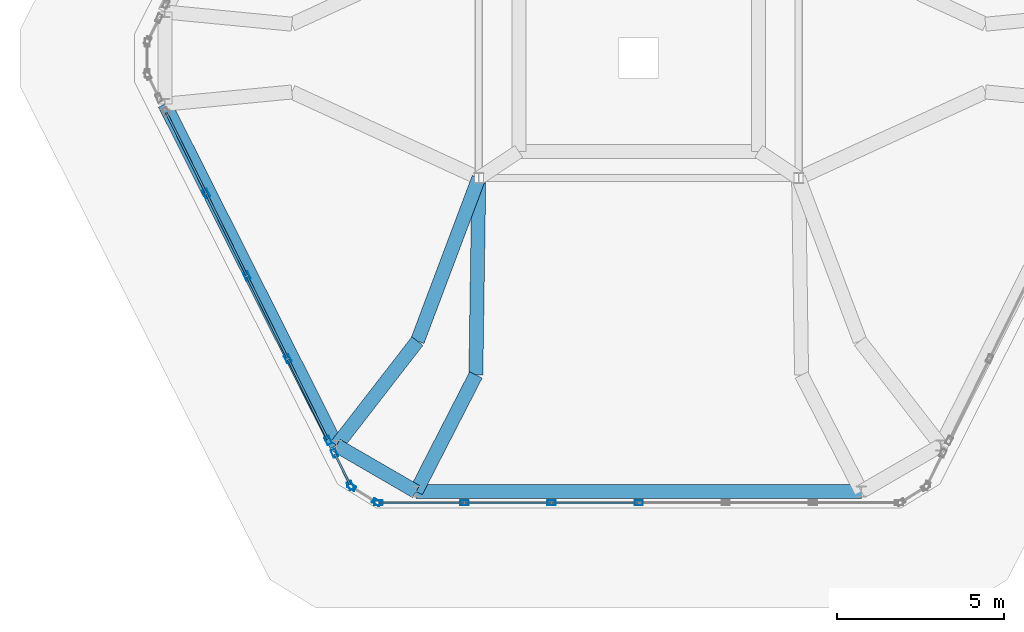
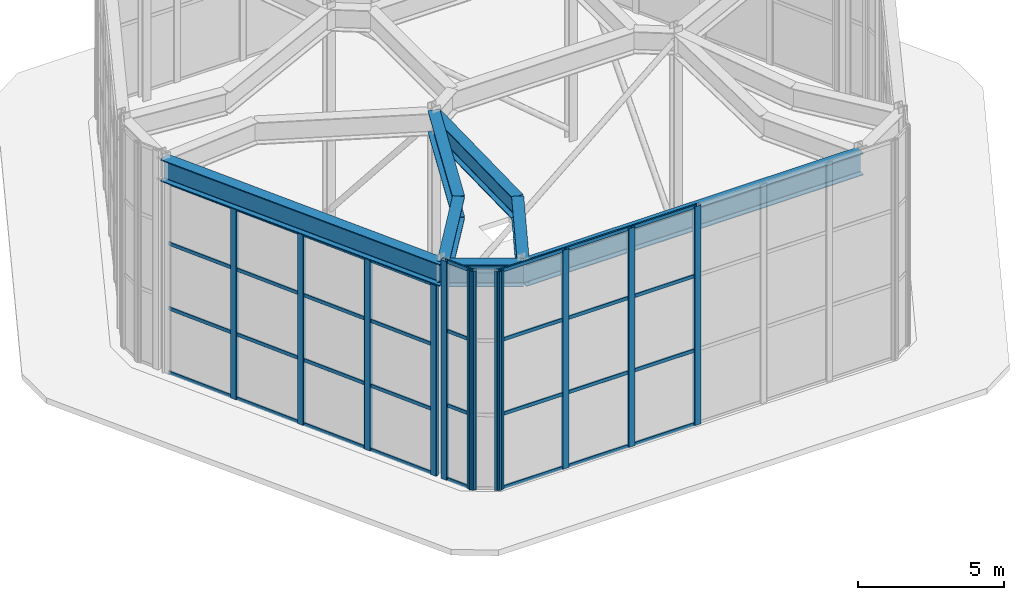
# One storey, part 2 of 10: 44 members, 7 beams, 4 elements without a shape of their own.
"""IFC4 building model written with IfcOpenShell, lengths in metres."""

from ifc_helpers import new_model, si_unit, direction, frame, origin, origin_2d, place, context, subcontext, project, spatial, hollow_rectangle, i_section, extrude, material, layer, layer_set, material_profile, profile_set, type_object, element, aggregate, save


model = new_model("IFC4")

# Units and contexts
model_context = context("Model", 3, precision=1e-05, world=origin(), true_north=direction((0.0, 1.0)))
body_context = subcontext(model_context, "Body", "Model", "MODEL_VIEW")
ifc_project = project(units=[si_unit("LENGTHUNIT", "METRE"), si_unit("AREAUNIT", "SQUARE_METRE"), si_unit("VOLUMEUNIT", "CUBIC_METRE"), si_unit("PLANEANGLEUNIT", "RADIAN"), si_unit("MASSUNIT", "GRAM", prefix="KILO")], contexts=[model_context])

# Site, building, storey
site_placement = place(None, origin())
site = spatial("IfcSite", under=ifc_project, at=site_placement, CompositionType="ELEMENT")
building_placement = place(site_placement, origin())
building = spatial("IfcBuilding", under=site, at=building_placement, Name="Cinnabar Lancet Tower", CompositionType="ELEMENT")
storey_placement = place(building_placement, frame((0.0, 0.0, 314.675048828125)))
storey = spatial("IfcBuildingStorey", under=building, at=storey_placement, Name="L81", CompositionType="ELEMENT", Elevation=314.675048828125)

# Curtain wall, members
ifc_material_1 = material(Name="Thermally broken bronze-anodized aluminium and low-E glass", Category="aluminium")
ifc_layer = layer(ifc_material_1, 0.179931640625)
ifc_layer_set = layer_set([ifc_layer], Name="Thermally broken bronze-anodized aluminium and low-E glass")
curtain_wall_type = type_object("IfcCurtainWallType", Name="ENV-CW-SYS-05", PredefinedType="NOTDEFINED", material=ifc_layer_set)
curtain_wall_1_placement = place(storey_placement, origin())
curtain_wall_1 = element("IfcCurtainWall", 1, at=curtain_wall_1_placement, inside=storey, type_object=curtain_wall_type, Name="L81 Faceted Lancet Crown Curtain Wall 1", PredefinedType="NOTDEFINED")
ifc_material_2 = material(Name="Anodized architectural aluminium 6063-T6", Category="aluminium")
ifc_material_profile_1 = material_profile(ifc_material_2, hollow_rectangle(XDim=0.14990234375, YDim=0.25, WallThickness=0.010009765625, InnerFilletRadius=0.0048828125, OuterFilletRadius=0.014892578125, at=origin_2d()), Name="RHS 250x150x10")
ifc_profile_set_1 = profile_set([ifc_material_profile_1], Name="Anodized architectural aluminium 6063-T6")
member_type_1 = type_object("IfcMemberType", Name="ENV-CW-MUL-260", PredefinedType="MULLION", material=ifc_profile_set_1)
member_1_placement = place(storey_placement, frame((23.78857421875, 12.92724609375, 0.0), z_axis=(0.0, 0.0, 1.0), x_axis=(0.527975874925, 0.849259368802, 0.0)))
member_1 = element("IfcMember", 2, at=member_1_placement, type_object=member_type_1, Name="CW-05 mullion 1", PredefinedType="MULLION", context=body_context, shape_type="SweptSolid", body=[
    extrude(hollow_rectangle(XDim=0.14990234375, YDim=0.25, WallThickness=0.010009765625, InnerFilletRadius=0.0048828125, OuterFilletRadius=0.014892578125, at=origin_2d()), origin(), (0.0, 0.0, 1.0), 9.175048828125),
])
member_2_placement = place(storey_placement, frame((24.530517578125, 12.4658203125, 0.0), z_axis=(0.0, 0.0, 1.0), x_axis=(0.527975874925, 0.849259368802, 0.0)))
member_2 = element("IfcMember", 3, at=member_2_placement, type_object=member_type_1, Name="CW-05 mullion 2", PredefinedType="MULLION", context=body_context, shape_type="SweptSolid", body=[
    extrude(hollow_rectangle(XDim=0.14990234375, YDim=0.25, WallThickness=0.010009765625, InnerFilletRadius=0.0048828125, OuterFilletRadius=0.014892578125, at=origin_2d()), origin(), (0.0, 0.0, 1.0), 9.175048828125),
])
aggregate(curtain_wall_1, [member_1, member_2])

curtain_wall_2_placement = place(storey_placement, origin())
curtain_wall_2 = element("IfcCurtainWall", 4, at=curtain_wall_2_placement, inside=storey, type_object=curtain_wall_type, Name="L81 Faceted Lancet Crown Curtain Wall 2", PredefinedType="NOTDEFINED")
member_3_placement = place(storey_placement, frame((24.5859375, 12.449951171875, 0.0), z_axis=(0.0, 0.0, 1.0), x_axis=(0.0, 1.0, 0.0)))
member_3 = element("IfcMember", 5, at=member_3_placement, type_object=member_type_1, Name="CW-05 mullion 1", PredefinedType="MULLION", context=body_context, shape_type="SweptSolid", body=[
    extrude(hollow_rectangle(XDim=0.14990234375, YDim=0.25, WallThickness=0.010009765625, InnerFilletRadius=0.0048828125, OuterFilletRadius=0.014892578125, at=origin_2d()), origin(), (0.0, 0.0, 1.0), 9.175048828125),
])
member_4_placement = place(storey_placement, frame((27.170654296875, 12.449951171875, 0.0), z_axis=(0.0, 0.0, 1.0), x_axis=(0.0, 1.0, 0.0)))
member_4 = element("IfcMember", 6, at=member_4_placement, type_object=member_type_1, Name="CW-05 mullion 2", PredefinedType="MULLION", context=body_context, shape_type="SweptSolid", body=[
    extrude(hollow_rectangle(XDim=0.14990234375, YDim=0.25, WallThickness=0.010009765625, InnerFilletRadius=0.0048828125, OuterFilletRadius=0.014892578125, at=origin_2d()), origin(), (0.0, 0.0, 1.0), 9.175048828125),
])
member_5_placement = place(storey_placement, frame((29.785400390625, 12.449951171875, 0.0), z_axis=(0.0, 0.0, 1.0), x_axis=(0.0, 1.0, 0.0)))
member_5 = element("IfcMember", 7, at=member_5_placement, type_object=member_type_1, Name="CW-05 mullion 3", PredefinedType="MULLION", context=body_context, shape_type="SweptSolid", body=[
    extrude(hollow_rectangle(XDim=0.14990234375, YDim=0.25, WallThickness=0.010009765625, InnerFilletRadius=0.0048828125, OuterFilletRadius=0.014892578125, at=origin_2d()), origin(), (0.0, 0.0, 1.0), 9.175048828125),
])
member_6_placement = place(storey_placement, frame((32.39990234375, 12.449951171875, 0.0), z_axis=(0.0, 0.0, 1.0), x_axis=(0.0, 1.0, 0.0)))
member_6 = element("IfcMember", 8, at=member_6_placement, type_object=member_type_1, Name="CW-05 mullion 4", PredefinedType="MULLION", context=body_context, shape_type="SweptSolid", body=[
    extrude(hollow_rectangle(XDim=0.14990234375, YDim=0.25, WallThickness=0.010009765625, InnerFilletRadius=0.0048828125, OuterFilletRadius=0.014892578125, at=origin_2d()), origin(), (0.0, 0.0, 1.0), 9.175048828125),
])

curtain_wall_3_placement = place(storey_placement, origin())
curtain_wall_3 = element("IfcCurtainWall", 9, at=curtain_wall_3_placement, inside=storey, type_object=curtain_wall_type, Name="L81 Faceted Lancet Crown Curtain Wall 19", PredefinedType="NOTDEFINED")
member_7_placement = place(storey_placement, frame((19.420166015625, 21.73291015625, 0.0), z_axis=(0.0, 0.0, 1.0), x_axis=(0.896551648599, 0.442939207335, 0.0)))
member_7 = element("IfcMember", 10, at=member_7_placement, type_object=member_type_1, Name="CW-05 mullion 2", PredefinedType="MULLION", context=body_context, shape_type="SweptSolid", body=[
    extrude(hollow_rectangle(XDim=0.14990234375, YDim=0.25, WallThickness=0.010009765625, InnerFilletRadius=0.0048828125, OuterFilletRadius=0.014892578125, at=origin_2d()), origin(), (0.0, 0.0, 1.0), 7.993896484375),
])
member_8_placement = place(storey_placement, frame((20.64453125, 19.2548828125, 0.0), z_axis=(0.0, 0.0, 1.0), x_axis=(0.896551648599, 0.442939207335, 0.0)))
member_8 = element("IfcMember", 11, at=member_8_placement, type_object=member_type_1, Name="CW-05 mullion 3", PredefinedType="MULLION", context=body_context, shape_type="SweptSolid", body=[
    extrude(hollow_rectangle(XDim=0.14990234375, YDim=0.25, WallThickness=0.010009765625, InnerFilletRadius=0.0048828125, OuterFilletRadius=0.014892578125, at=origin_2d()), origin(), (0.0, 0.0, 1.0), 7.993896484375),
])
member_9_placement = place(storey_placement, frame((21.86865234375, 16.777099609375, 0.0), z_axis=(0.0, 0.0, 1.0), x_axis=(0.896551648599, 0.442939207335, 0.0)))
member_9 = element("IfcMember", 12, at=member_9_placement, type_object=member_type_1, Name="CW-05 mullion 4", PredefinedType="MULLION", context=body_context, shape_type="SweptSolid", body=[
    extrude(hollow_rectangle(XDim=0.14990234375, YDim=0.25, WallThickness=0.010009765625, InnerFilletRadius=0.0048828125, OuterFilletRadius=0.014892578125, at=origin_2d()), origin(), (0.0, 0.0, 1.0), 7.993896484375),
])
member_10_placement = place(storey_placement, frame((23.07958984375, 14.325927734375, 0.0), z_axis=(0.0, 0.0, 1.0), x_axis=(0.896551648599, 0.442939207335, 0.0)))
member_10 = element("IfcMember", 13, at=member_10_placement, type_object=member_type_1, Name="CW-05 mullion 5", PredefinedType="MULLION", context=body_context, shape_type="SweptSolid", body=[
    extrude(hollow_rectangle(XDim=0.14990234375, YDim=0.25, WallThickness=0.010009765625, InnerFilletRadius=0.0048828125, OuterFilletRadius=0.014892578125, at=origin_2d()), origin(), (0.0, 0.0, 1.0), 7.993896484375),
])

curtain_wall_4_placement = place(storey_placement, origin())
curtain_wall_4 = element("IfcCurtainWall", 14, at=curtain_wall_4_placement, inside=storey, type_object=curtain_wall_type, Name="L81 Faceted Lancet Crown Curtain Wall 20", PredefinedType="NOTDEFINED")
member_11_placement = place(storey_placement, frame((23.269287109375, 13.941162109375, 0.0), z_axis=(0.0, 0.0, 1.0), x_axis=(0.896342772424, 0.443361742062, 0.0)))
member_11 = element("IfcMember", 15, at=member_11_placement, type_object=member_type_1, Name="CW-05 mullion 1", PredefinedType="MULLION", context=body_context, shape_type="SweptSolid", body=[
    extrude(hollow_rectangle(XDim=0.14990234375, YDim=0.25, WallThickness=0.010009765625, InnerFilletRadius=0.0048828125, OuterFilletRadius=0.014892578125, at=origin_2d()), origin(), (0.0, 0.0, 1.0), 9.175048828125),
])
member_12_placement = place(storey_placement, frame((23.749755859375, 12.969970703125, 0.0), z_axis=(0.0, 0.0, 1.0), x_axis=(0.896342772424, 0.443361742062, 0.0)))
member_12 = element("IfcMember", 16, at=member_12_placement, type_object=member_type_1, Name="CW-05 mullion 2", PredefinedType="MULLION", context=body_context, shape_type="SweptSolid", body=[
    extrude(hollow_rectangle(XDim=0.14990234375, YDim=0.25, WallThickness=0.010009765625, InnerFilletRadius=0.0048828125, OuterFilletRadius=0.014892578125, at=origin_2d()), origin(), (0.0, 0.0, 1.0), 9.175048828125),
])

# Member
ifc_material_3 = material(Name="Anodized architectural aluminium 6063-T6", Category="aluminium")
ifc_material_profile_2 = material_profile(ifc_material_3, hollow_rectangle(XDim=0.06494140625, YDim=0.14990234375, WallThickness=0.00390625, InnerFilletRadius=0.001953125, OuterFilletRadius=0.006103515625, at=origin_2d()), Name="CW-TRN 150x65x4")
ifc_profile_set_2 = profile_set([ifc_material_profile_2], Name="Anodized architectural aluminium 6063-T6")
member_type_2 = type_object("IfcMemberType", Name="ENV-CW-TRN-160", PredefinedType="USERDEFINED", material=ifc_profile_set_2)
member_13_placement = place(storey_placement, frame((24.615966796875, 12.449951171875, 0.030029296875), z_axis=(1.0, 0.0, 0.0), x_axis=(0.0, 1.0, 0.0)))
member_13 = element("IfcMember", 17, at=member_13_placement, type_object=member_type_2, Name="CW-05 transom 1.1", ObjectType="TRANSOM", PredefinedType="USERDEFINED", context=body_context, shape_type="SweptSolid", body=[
    extrude(hollow_rectangle(XDim=0.06494140625, YDim=0.14990234375, WallThickness=0.00390625, InnerFilletRadius=0.001953125, OuterFilletRadius=0.006103515625, at=origin_2d()), origin(), (0.0, 0.0, 1.0), 2.524658203125),
])

member_14_placement = place(storey_placement, frame((24.615966796875, 12.449951171875, 3.119873046875), z_axis=(1.0, 0.0, 0.0), x_axis=(0.0, 1.0, 0.0)))
member_14 = element("IfcMember", 18, at=member_14_placement, type_object=member_type_2, Name="CW-05 transom 1.2", ObjectType="TRANSOM", PredefinedType="USERDEFINED", context=body_context, shape_type="SweptSolid", body=[
    extrude(hollow_rectangle(XDim=0.06494140625, YDim=0.14990234375, WallThickness=0.00390625, InnerFilletRadius=0.001953125, OuterFilletRadius=0.006103515625, at=origin_2d()), origin(), (0.0, 0.0, 1.0), 2.524658203125),
])

member_15_placement = place(storey_placement, frame((24.615966796875, 12.449951171875, 6.239013671875), z_axis=(1.0, 0.0, 0.0), x_axis=(0.0, 1.0, 0.0)))
member_15 = element("IfcMember", 19, at=member_15_placement, type_object=member_type_2, Name="CW-05 transom 1.3", ObjectType="TRANSOM", PredefinedType="USERDEFINED", context=body_context, shape_type="SweptSolid", body=[
    extrude(hollow_rectangle(XDim=0.06494140625, YDim=0.14990234375, WallThickness=0.00390625, InnerFilletRadius=0.001953125, OuterFilletRadius=0.006103515625, at=origin_2d()), origin(), (0.0, 0.0, 1.0), 2.524658203125),
])

member_16_placement = place(storey_placement, frame((24.615966796875, 12.449951171875, 9.14501953125), z_axis=(1.0, 0.0, 0.0), x_axis=(0.0, 1.0, 0.0)))
member_16 = element("IfcMember", 20, at=member_16_placement, type_object=member_type_2, Name="CW-05 transom 1.4", ObjectType="TRANSOM", PredefinedType="USERDEFINED", context=body_context, shape_type="SweptSolid", body=[
    extrude(hollow_rectangle(XDim=0.06494140625, YDim=0.14990234375, WallThickness=0.00390625, InnerFilletRadius=0.001953125, OuterFilletRadius=0.006103515625, at=origin_2d()), origin(), (0.0, 0.0, 1.0), 2.524658203125),
])

member_17_placement = place(storey_placement, frame((27.20068359375, 12.449951171875, 0.030029296875), z_axis=(1.0, 0.0, 0.0), x_axis=(0.0, 1.0, 0.0)))
member_17 = element("IfcMember", 21, at=member_17_placement, type_object=member_type_2, Name="CW-05 transom 2.1", ObjectType="TRANSOM", PredefinedType="USERDEFINED", context=body_context, shape_type="SweptSolid", body=[
    extrude(hollow_rectangle(XDim=0.06494140625, YDim=0.14990234375, WallThickness=0.00390625, InnerFilletRadius=0.001953125, OuterFilletRadius=0.006103515625, at=origin_2d()), origin(), (0.0, 0.0, 1.0), 2.5546875),
])

member_18_placement = place(storey_placement, frame((27.20068359375, 12.449951171875, 3.119873046875), z_axis=(1.0, 0.0, 0.0), x_axis=(0.0, 1.0, 0.0)))
member_18 = element("IfcMember", 22, at=member_18_placement, type_object=member_type_2, Name="CW-05 transom 2.2", ObjectType="TRANSOM", PredefinedType="USERDEFINED", context=body_context, shape_type="SweptSolid", body=[
    extrude(hollow_rectangle(XDim=0.06494140625, YDim=0.14990234375, WallThickness=0.00390625, InnerFilletRadius=0.001953125, OuterFilletRadius=0.006103515625, at=origin_2d()), origin(), (0.0, 0.0, 1.0), 2.5546875),
])

member_19_placement = place(storey_placement, frame((27.20068359375, 12.449951171875, 6.239013671875), z_axis=(1.0, 0.0, 0.0), x_axis=(0.0, 1.0, 0.0)))
member_19 = element("IfcMember", 23, at=member_19_placement, type_object=member_type_2, Name="CW-05 transom 2.3", ObjectType="TRANSOM", PredefinedType="USERDEFINED", context=body_context, shape_type="SweptSolid", body=[
    extrude(hollow_rectangle(XDim=0.06494140625, YDim=0.14990234375, WallThickness=0.00390625, InnerFilletRadius=0.001953125, OuterFilletRadius=0.006103515625, at=origin_2d()), origin(), (0.0, 0.0, 1.0), 2.5546875),
])

member_20_placement = place(storey_placement, frame((27.20068359375, 12.449951171875, 9.14501953125), z_axis=(1.0, 0.0, 0.0), x_axis=(0.0, 1.0, 0.0)))
member_20 = element("IfcMember", 24, at=member_20_placement, type_object=member_type_2, Name="CW-05 transom 2.4", ObjectType="TRANSOM", PredefinedType="USERDEFINED", context=body_context, shape_type="SweptSolid", body=[
    extrude(hollow_rectangle(XDim=0.06494140625, YDim=0.14990234375, WallThickness=0.00390625, InnerFilletRadius=0.001953125, OuterFilletRadius=0.006103515625, at=origin_2d()), origin(), (0.0, 0.0, 1.0), 2.5546875),
])

member_21_placement = place(storey_placement, frame((29.8154296875, 12.449951171875, 0.030029296875), z_axis=(1.0, 0.0, 0.0), x_axis=(0.0, 1.0, 0.0)))
member_21 = element("IfcMember", 25, at=member_21_placement, type_object=member_type_2, Name="CW-05 transom 3.1", ObjectType="TRANSOM", PredefinedType="USERDEFINED", context=body_context, shape_type="SweptSolid", body=[
    extrude(hollow_rectangle(XDim=0.06494140625, YDim=0.14990234375, WallThickness=0.00390625, InnerFilletRadius=0.001953125, OuterFilletRadius=0.006103515625, at=origin_2d()), origin(), (0.0, 0.0, 1.0), 2.5546875),
])

member_22_placement = place(storey_placement, frame((29.8154296875, 12.449951171875, 3.119873046875), z_axis=(1.0, 0.0, 0.0), x_axis=(0.0, 1.0, 0.0)))
member_22 = element("IfcMember", 26, at=member_22_placement, type_object=member_type_2, Name="CW-05 transom 3.2", ObjectType="TRANSOM", PredefinedType="USERDEFINED", context=body_context, shape_type="SweptSolid", body=[
    extrude(hollow_rectangle(XDim=0.06494140625, YDim=0.14990234375, WallThickness=0.00390625, InnerFilletRadius=0.001953125, OuterFilletRadius=0.006103515625, at=origin_2d()), origin(), (0.0, 0.0, 1.0), 2.5546875),
])

member_23_placement = place(storey_placement, frame((29.8154296875, 12.449951171875, 6.239013671875), z_axis=(1.0, 0.0, 0.0), x_axis=(0.0, 1.0, 0.0)))
member_23 = element("IfcMember", 27, at=member_23_placement, type_object=member_type_2, Name="CW-05 transom 3.3", ObjectType="TRANSOM", PredefinedType="USERDEFINED", context=body_context, shape_type="SweptSolid", body=[
    extrude(hollow_rectangle(XDim=0.06494140625, YDim=0.14990234375, WallThickness=0.00390625, InnerFilletRadius=0.001953125, OuterFilletRadius=0.006103515625, at=origin_2d()), origin(), (0.0, 0.0, 1.0), 2.5546875),
])

member_24_placement = place(storey_placement, frame((29.8154296875, 12.449951171875, 9.14501953125), z_axis=(1.0, 0.0, 0.0), x_axis=(0.0, 1.0, 0.0)))
member_24 = element("IfcMember", 28, at=member_24_placement, type_object=member_type_2, Name="CW-05 transom 3.4", ObjectType="TRANSOM", PredefinedType="USERDEFINED", context=body_context, shape_type="SweptSolid", body=[
    extrude(hollow_rectangle(XDim=0.06494140625, YDim=0.14990234375, WallThickness=0.00390625, InnerFilletRadius=0.001953125, OuterFilletRadius=0.006103515625, at=origin_2d()), origin(), (0.0, 0.0, 1.0), 2.5546875),
])

aggregate(curtain_wall_2, [member_3, member_4, member_5, member_6, member_13, member_14, member_15, member_16, member_17, member_18, member_19, member_20, member_21, member_22, member_23, member_24])

member_25_placement = place(storey_placement, frame((18.22265625, 24.1572265625, 0.030029296875), z_axis=(0.442935275525, -0.89655359109, 0.0), x_axis=(0.89655359109, 0.442935275525, 0.0)))
member_25 = element("IfcMember", 29, at=member_25_placement, type_object=member_type_2, Name="CW-05 transom 1.1", ObjectType="TRANSOM", PredefinedType="USERDEFINED", context=body_context, shape_type="SweptSolid", body=[
    extrude(hollow_rectangle(XDim=0.06494140625, YDim=0.14990234375, WallThickness=0.00390625, InnerFilletRadius=0.001953125, OuterFilletRadius=0.006103515625, at=origin_2d()), origin(), (0.0, 0.0, 1.0), 2.673828125),
])

member_26_placement = place(storey_placement, frame((18.22265625, 24.1572265625, 2.718017578125), z_axis=(0.442935275525, -0.89655359109, 0.0), x_axis=(0.89655359109, 0.442935275525, 0.0)))
member_26 = element("IfcMember", 30, at=member_26_placement, type_object=member_type_2, Name="CW-05 transom 1.2", ObjectType="TRANSOM", PredefinedType="USERDEFINED", context=body_context, shape_type="SweptSolid", body=[
    extrude(hollow_rectangle(XDim=0.06494140625, YDim=0.14990234375, WallThickness=0.00390625, InnerFilletRadius=0.001953125, OuterFilletRadius=0.006103515625, at=origin_2d()), origin(), (0.0, 0.0, 1.0), 2.673828125),
])

member_27_placement = place(storey_placement, frame((18.22265625, 24.1572265625, 5.43603515625), z_axis=(0.442935275525, -0.89655359109, 0.0), x_axis=(0.89655359109, 0.442935275525, 0.0)))
member_27 = element("IfcMember", 31, at=member_27_placement, type_object=member_type_2, Name="CW-05 transom 1.3", ObjectType="TRANSOM", PredefinedType="USERDEFINED", context=body_context, shape_type="SweptSolid", body=[
    extrude(hollow_rectangle(XDim=0.06494140625, YDim=0.14990234375, WallThickness=0.00390625, InnerFilletRadius=0.001953125, OuterFilletRadius=0.006103515625, at=origin_2d()), origin(), (0.0, 0.0, 1.0), 2.673828125),
])

member_28_placement = place(storey_placement, frame((18.22265625, 24.1572265625, 7.9638671875), z_axis=(0.442935275525, -0.89655359109, 0.0), x_axis=(0.89655359109, 0.442935275525, 0.0)))
member_28 = element("IfcMember", 32, at=member_28_placement, type_object=member_type_2, Name="CW-05 transom 1.4", ObjectType="TRANSOM", PredefinedType="USERDEFINED", context=body_context, shape_type="SweptSolid", body=[
    extrude(hollow_rectangle(XDim=0.06494140625, YDim=0.14990234375, WallThickness=0.00390625, InnerFilletRadius=0.001953125, OuterFilletRadius=0.006103515625, at=origin_2d()), origin(), (0.0, 0.0, 1.0), 2.673828125),
])

member_29_placement = place(storey_placement, frame((19.43359375, 21.7060546875, 0.030029296875), z_axis=(0.442910260823, -0.896565948973, 0.0), x_axis=(0.896565948973, 0.442910260823, 0.0)))
member_29 = element("IfcMember", 33, at=member_29_placement, type_object=member_type_2, Name="CW-05 transom 2.1", ObjectType="TRANSOM", PredefinedType="USERDEFINED", context=body_context, shape_type="SweptSolid", body=[
    extrude(hollow_rectangle(XDim=0.06494140625, YDim=0.14990234375, WallThickness=0.00390625, InnerFilletRadius=0.001953125, OuterFilletRadius=0.006103515625, at=origin_2d()), origin(), (0.0, 0.0, 1.0), 2.70361328125),
])

member_30_placement = place(storey_placement, frame((19.43359375, 21.7060546875, 2.718017578125), z_axis=(0.442910260823, -0.896565948973, 0.0), x_axis=(0.896565948973, 0.442910260823, 0.0)))
member_30 = element("IfcMember", 34, at=member_30_placement, type_object=member_type_2, Name="CW-05 transom 2.2", ObjectType="TRANSOM", PredefinedType="USERDEFINED", context=body_context, shape_type="SweptSolid", body=[
    extrude(hollow_rectangle(XDim=0.06494140625, YDim=0.14990234375, WallThickness=0.00390625, InnerFilletRadius=0.001953125, OuterFilletRadius=0.006103515625, at=origin_2d()), origin(), (0.0, 0.0, 1.0), 2.70361328125),
])

member_31_placement = place(storey_placement, frame((19.43359375, 21.7060546875, 5.43603515625), z_axis=(0.442910260823, -0.896565948973, 0.0), x_axis=(0.896565948973, 0.442910260823, 0.0)))
member_31 = element("IfcMember", 35, at=member_31_placement, type_object=member_type_2, Name="CW-05 transom 2.3", ObjectType="TRANSOM", PredefinedType="USERDEFINED", context=body_context, shape_type="SweptSolid", body=[
    extrude(hollow_rectangle(XDim=0.06494140625, YDim=0.14990234375, WallThickness=0.00390625, InnerFilletRadius=0.001953125, OuterFilletRadius=0.006103515625, at=origin_2d()), origin(), (0.0, 0.0, 1.0), 2.70361328125),
])

member_32_placement = place(storey_placement, frame((19.43359375, 21.7060546875, 7.9638671875), z_axis=(0.442910260823, -0.896565948973, 0.0), x_axis=(0.896565948973, 0.442910260823, 0.0)))
member_32 = element("IfcMember", 36, at=member_32_placement, type_object=member_type_2, Name="CW-05 transom 2.4", ObjectType="TRANSOM", PredefinedType="USERDEFINED", context=body_context, shape_type="SweptSolid", body=[
    extrude(hollow_rectangle(XDim=0.06494140625, YDim=0.14990234375, WallThickness=0.00390625, InnerFilletRadius=0.001953125, OuterFilletRadius=0.006103515625, at=origin_2d()), origin(), (0.0, 0.0, 1.0), 2.70361328125),
])

member_33_placement = place(storey_placement, frame((20.65771484375, 19.22802734375, 0.030029296875), z_axis=(0.442982840521, -0.896530090406, 0.0), x_axis=(0.896530090406, 0.442982840521, 0.0)))
member_33 = element("IfcMember", 37, at=member_33_placement, type_object=member_type_2, Name="CW-05 transom 3.1", ObjectType="TRANSOM", PredefinedType="USERDEFINED", context=body_context, shape_type="SweptSolid", body=[
    extrude(hollow_rectangle(XDim=0.06494140625, YDim=0.14990234375, WallThickness=0.00390625, InnerFilletRadius=0.001953125, OuterFilletRadius=0.006103515625, at=origin_2d()), origin(), (0.0, 0.0, 1.0), 2.703857421875),
])

member_34_placement = place(storey_placement, frame((20.65771484375, 19.22802734375, 2.718017578125), z_axis=(0.442982840521, -0.896530090406, 0.0), x_axis=(0.896530090406, 0.442982840521, 0.0)))
member_34 = element("IfcMember", 38, at=member_34_placement, type_object=member_type_2, Name="CW-05 transom 3.2", ObjectType="TRANSOM", PredefinedType="USERDEFINED", context=body_context, shape_type="SweptSolid", body=[
    extrude(hollow_rectangle(XDim=0.06494140625, YDim=0.14990234375, WallThickness=0.00390625, InnerFilletRadius=0.001953125, OuterFilletRadius=0.006103515625, at=origin_2d()), origin(), (0.0, 0.0, 1.0), 2.703857421875),
])

member_35_placement = place(storey_placement, frame((20.65771484375, 19.22802734375, 5.43603515625), z_axis=(0.442982840521, -0.896530090406, 0.0), x_axis=(0.896530090406, 0.442982840521, 0.0)))
member_35 = element("IfcMember", 39, at=member_35_placement, type_object=member_type_2, Name="CW-05 transom 3.3", ObjectType="TRANSOM", PredefinedType="USERDEFINED", context=body_context, shape_type="SweptSolid", body=[
    extrude(hollow_rectangle(XDim=0.06494140625, YDim=0.14990234375, WallThickness=0.00390625, InnerFilletRadius=0.001953125, OuterFilletRadius=0.006103515625, at=origin_2d()), origin(), (0.0, 0.0, 1.0), 2.703857421875),
])

member_36_placement = place(storey_placement, frame((20.65771484375, 19.22802734375, 7.9638671875), z_axis=(0.442982840521, -0.896530090406, 0.0), x_axis=(0.896530090406, 0.442982840521, 0.0)))
member_36 = element("IfcMember", 40, at=member_36_placement, type_object=member_type_2, Name="CW-05 transom 3.4", ObjectType="TRANSOM", PredefinedType="USERDEFINED", context=body_context, shape_type="SweptSolid", body=[
    extrude(hollow_rectangle(XDim=0.06494140625, YDim=0.14990234375, WallThickness=0.00390625, InnerFilletRadius=0.001953125, OuterFilletRadius=0.006103515625, at=origin_2d()), origin(), (0.0, 0.0, 1.0), 2.703857421875),
])

member_37_placement = place(storey_placement, frame((21.882080078125, 16.75, 0.030029296875), z_axis=(0.442935275525, -0.89655359109, 0.0), x_axis=(0.89655359109, 0.442935275525, 0.0)))
member_37 = element("IfcMember", 41, at=member_37_placement, type_object=member_type_2, Name="CW-05 transom 4.1", ObjectType="TRANSOM", PredefinedType="USERDEFINED", context=body_context, shape_type="SweptSolid", body=[
    extrude(hollow_rectangle(XDim=0.06494140625, YDim=0.14990234375, WallThickness=0.00390625, InnerFilletRadius=0.001953125, OuterFilletRadius=0.006103515625, at=origin_2d()), origin(), (0.0, 0.0, 1.0), 2.673828125),
])

member_38_placement = place(storey_placement, frame((21.882080078125, 16.75, 2.718017578125), z_axis=(0.442935275525, -0.89655359109, 0.0), x_axis=(0.89655359109, 0.442935275525, 0.0)))
member_38 = element("IfcMember", 42, at=member_38_placement, type_object=member_type_2, Name="CW-05 transom 4.2", ObjectType="TRANSOM", PredefinedType="USERDEFINED", context=body_context, shape_type="SweptSolid", body=[
    extrude(hollow_rectangle(XDim=0.06494140625, YDim=0.14990234375, WallThickness=0.00390625, InnerFilletRadius=0.001953125, OuterFilletRadius=0.006103515625, at=origin_2d()), origin(), (0.0, 0.0, 1.0), 2.673828125),
])

member_39_placement = place(storey_placement, frame((21.882080078125, 16.75, 5.43603515625), z_axis=(0.442935275525, -0.89655359109, 0.0), x_axis=(0.89655359109, 0.442935275525, 0.0)))
member_39 = element("IfcMember", 43, at=member_39_placement, type_object=member_type_2, Name="CW-05 transom 4.3", ObjectType="TRANSOM", PredefinedType="USERDEFINED", context=body_context, shape_type="SweptSolid", body=[
    extrude(hollow_rectangle(XDim=0.06494140625, YDim=0.14990234375, WallThickness=0.00390625, InnerFilletRadius=0.001953125, OuterFilletRadius=0.006103515625, at=origin_2d()), origin(), (0.0, 0.0, 1.0), 2.673828125),
])

member_40_placement = place(storey_placement, frame((21.882080078125, 16.75, 7.9638671875), z_axis=(0.442935275525, -0.89655359109, 0.0), x_axis=(0.89655359109, 0.442935275525, 0.0)))
member_40 = element("IfcMember", 44, at=member_40_placement, type_object=member_type_2, Name="CW-05 transom 4.4", ObjectType="TRANSOM", PredefinedType="USERDEFINED", context=body_context, shape_type="SweptSolid", body=[
    extrude(hollow_rectangle(XDim=0.06494140625, YDim=0.14990234375, WallThickness=0.00390625, InnerFilletRadius=0.001953125, OuterFilletRadius=0.006103515625, at=origin_2d()), origin(), (0.0, 0.0, 1.0), 2.673828125),
])

aggregate(curtain_wall_3, [member_7, member_8, member_9, member_10, member_25, member_26, member_27, member_28, member_29, member_30, member_31, member_32, member_33, member_34, member_35, member_36, member_37, member_38, member_39, member_40])

member_41_placement = place(storey_placement, frame((23.28271484375, 13.914306640625, 0.030029296875), z_axis=(0.443201685678, -0.896421923991, 0.0), x_axis=(0.896421923991, 0.443201685678, 0.0)))
member_41 = element("IfcMember", 45, at=member_41_placement, type_object=member_type_2, Name="CW-05 transom 1.1", ObjectType="TRANSOM", PredefinedType="USERDEFINED", context=body_context, shape_type="SweptSolid", body=[
    extrude(hollow_rectangle(XDim=0.06494140625, YDim=0.14990234375, WallThickness=0.00390625, InnerFilletRadius=0.001953125, OuterFilletRadius=0.006103515625, at=origin_2d()), origin(), (0.0, 0.0, 1.0), 1.0234375),
])

member_42_placement = place(storey_placement, frame((23.28271484375, 13.914306640625, 3.119873046875), z_axis=(0.443201685678, -0.896421923991, 0.0), x_axis=(0.896421923991, 0.443201685678, 0.0)))
member_42 = element("IfcMember", 46, at=member_42_placement, type_object=member_type_2, Name="CW-05 transom 1.2", ObjectType="TRANSOM", PredefinedType="USERDEFINED", context=body_context, shape_type="SweptSolid", body=[
    extrude(hollow_rectangle(XDim=0.06494140625, YDim=0.14990234375, WallThickness=0.00390625, InnerFilletRadius=0.001953125, OuterFilletRadius=0.006103515625, at=origin_2d()), origin(), (0.0, 0.0, 1.0), 1.0234375),
])

member_43_placement = place(storey_placement, frame((23.28271484375, 13.914306640625, 6.239013671875), z_axis=(0.443201685678, -0.896421923991, 0.0), x_axis=(0.896421923991, 0.443201685678, 0.0)))
member_43 = element("IfcMember", 47, at=member_43_placement, type_object=member_type_2, Name="CW-05 transom 1.3", ObjectType="TRANSOM", PredefinedType="USERDEFINED", context=body_context, shape_type="SweptSolid", body=[
    extrude(hollow_rectangle(XDim=0.06494140625, YDim=0.14990234375, WallThickness=0.00390625, InnerFilletRadius=0.001953125, OuterFilletRadius=0.006103515625, at=origin_2d()), origin(), (0.0, 0.0, 1.0), 1.0234375),
])

member_44_placement = place(storey_placement, frame((23.28271484375, 13.914306640625, 9.14501953125), z_axis=(0.443201685678, -0.896421923991, 0.0), x_axis=(0.896421923991, 0.443201685678, 0.0)))
member_44 = element("IfcMember", 48, at=member_44_placement, type_object=member_type_2, Name="CW-05 transom 1.4", ObjectType="TRANSOM", PredefinedType="USERDEFINED", context=body_context, shape_type="SweptSolid", body=[
    extrude(hollow_rectangle(XDim=0.06494140625, YDim=0.14990234375, WallThickness=0.00390625, InnerFilletRadius=0.001953125, OuterFilletRadius=0.006103515625, at=origin_2d()), origin(), (0.0, 0.0, 1.0), 1.0234375),
])

aggregate(curtain_wall_4, [member_11, member_12, member_41, member_42, member_43, member_44])

# Beams
ifc_material_4 = material(Name="Structural steel S460", Category="steel")
ifc_material_profile_3 = material_profile(ifc_material_4, i_section(OverallWidth=0.42041015625, OverallDepth=0.9208984375, WebThickness=0.021484375, FlangeThickness=0.03662109375, FilletRadius=0.024169921875, at=origin_2d()), Name="UKB 914x419x388")
ifc_profile_set_3 = profile_set([ifc_material_profile_3], Name="Structural steel S460")
beam_type = type_object("IfcBeamType", Name="STR-BM-UKB914-388", PredefinedType="BEAM", material=ifc_profile_set_3)
beam_1_placement = place(storey_placement, frame((25.717041015625, 12.7890625, 8.4638671875), z_axis=(1.0, 0.0, 0.0), x_axis=(0.0, 1.0, 0.0)))
element("IfcBeam", 49, at=beam_1_placement, inside=storey, type_object=beam_type, Name="L82 Setback Outer Ring Girder 1", PredefinedType="BEAM", context=body_context, shape_type="SweptSolid", body=[
    extrude(i_section(OverallWidth=0.42041015625, OverallDepth=0.9208984375, WebThickness=0.021484375, FlangeThickness=0.03662109375, FilletRadius=0.024169921875, at=origin_2d()), origin(), (0.0, 0.0, 1.0), 13.365966796875),
])
beam_2_placement = place(storey_placement, frame((18.174072265625, 24.4150390625, 8.4638671875), z_axis=(0.449689931848, -0.893184731841, 0.0), x_axis=(0.893184731841, 0.449689931848, 0.0)))
element("IfcBeam", 50, at=beam_2_placement, inside=storey, type_object=beam_type, Name="L82 Setback Outer Ring Girder 11", PredefinedType="BEAM", context=body_context, shape_type="SweptSolid", body=[
    extrude(i_section(OverallWidth=0.42041015625, OverallDepth=0.9208984375, WebThickness=0.021484375, FlangeThickness=0.03662109375, FilletRadius=0.024169921875, at=origin_2d()), origin(), (0.0, 0.0, 1.0), 11.4677734375),
])
beam_3_placement = place(storey_placement, frame((23.3310546875, 14.172119140625, 8.4638671875), z_axis=(0.865159484489, -0.501496825911, 0.0), x_axis=(0.501496825911, 0.865159484489, 0.0)))
element("IfcBeam", 51, at=beam_3_placement, inside=storey, type_object=beam_type, Name="L82 Setback Outer Ring Girder 12", PredefinedType="BEAM", context=body_context, shape_type="SweptSolid", body=[
    extrude(i_section(OverallWidth=0.42041015625, OverallDepth=0.9208984375, WebThickness=0.021484375, FlangeThickness=0.03662109375, FilletRadius=0.024169921875, at=origin_2d()), origin(), (0.0, 0.0, 1.0), 2.7578125),
])
beam_4_placement = place(storey_placement, frame((25.717041015625, 12.7890625, 8.4638671875), z_axis=(0.456326728428, 0.889812293083, 0.0), x_axis=(-0.889812293083, 0.456326728428, 0.0)))
element("IfcBeam", 52, at=beam_4_placement, inside=storey, type_object=beam_type, Name="L82 Crown Setback Strut Girder 1", PredefinedType="BEAM", context=body_context, shape_type="SweptSolid", body=[
    extrude(i_section(OverallWidth=0.42041015625, OverallDepth=0.9208984375, WebThickness=0.021484375, FlangeThickness=0.03662109375, FilletRadius=0.024169921875, at=origin_2d()), origin(), (0.0, 0.0, 1.0), 3.933349609375),
])
beam_5_placement = place(storey_placement, frame((27.511962890625, 16.2890625, 8.4638671875), z_axis=(0.014908920613, 0.999888855867, 0.0), x_axis=(-0.999888855867, 0.014908920613, 0.0)))
element("IfcBeam", 53, at=beam_5_placement, inside=storey, type_object=beam_type, Name="L82 Crown Setback Radial Girder 1", PredefinedType="BEAM", context=body_context, shape_type="SweptSolid", body=[
    extrude(i_section(OverallWidth=0.42041015625, OverallDepth=0.9208984375, WebThickness=0.021484375, FlangeThickness=0.03662109375, FilletRadius=0.024169921875, at=origin_2d()), origin(), (0.0, 0.0, 1.0), 5.91162109375),
])
beam_6_placement = place(storey_placement, frame((23.3310546875, 14.172119140625, 8.4638671875), z_axis=(0.612390689814, 0.790555275126, 0.0), x_axis=(-0.790555275126, 0.612390689814, 0.0)))
element("IfcBeam", 54, at=beam_6_placement, inside=storey, type_object=beam_type, Name="L82 Crown Setback Strut Girder 12", PredefinedType="BEAM", context=body_context, shape_type="SweptSolid", body=[
    extrude(i_section(OverallWidth=0.42041015625, OverallDepth=0.9208984375, WebThickness=0.021484375, FlangeThickness=0.03662109375, FilletRadius=0.024169921875, at=origin_2d()), origin(), (0.0, 0.0, 1.0), 3.961669921875),
])
beam_7_placement = place(storey_placement, frame((25.757080078125, 17.303955078125, 8.4638671875), z_axis=(0.35229946294, 0.935887326772, 0.0), x_axis=(-0.935887326772, 0.35229946294, 0.0)))
element("IfcBeam", 55, at=beam_7_placement, inside=storey, type_object=beam_type, Name="L82 Crown Setback Radial Girder 12", PredefinedType="BEAM", context=body_context, shape_type="SweptSolid", body=[
    extrude(i_section(OverallWidth=0.42041015625, OverallDepth=0.9208984375, WebThickness=0.021484375, FlangeThickness=0.03662109375, FilletRadius=0.024169921875, at=origin_2d()), origin(), (0.0, 0.0, 1.0), 5.2314453125),
])

save(model, "model.ifc")
